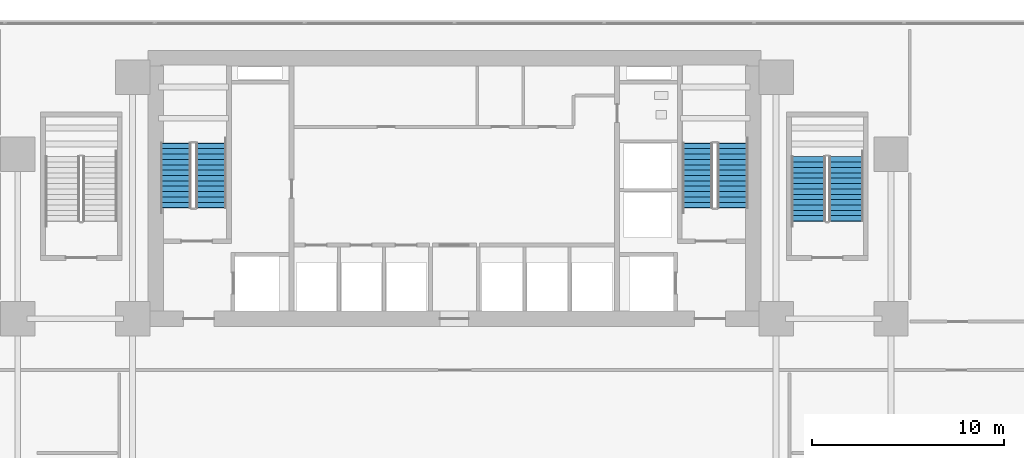
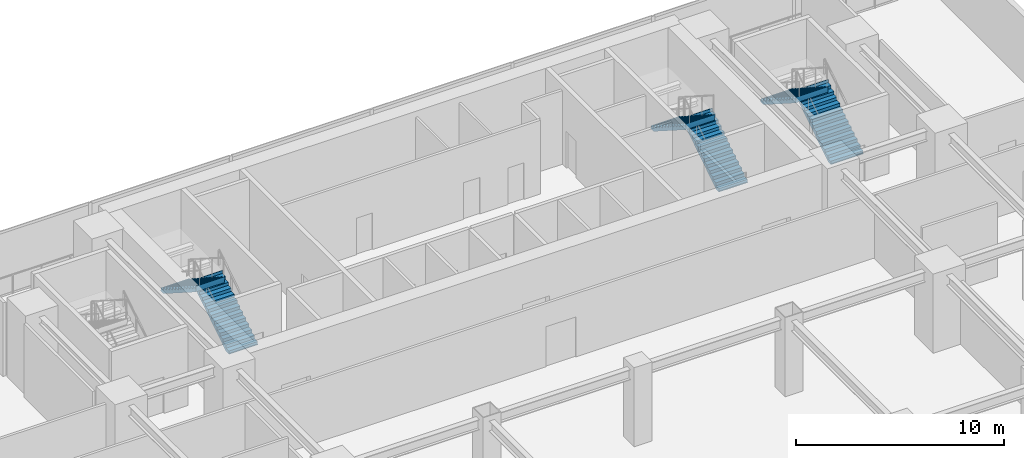
# One storey, part 10 of 15: 6 stair flights, 3 elements without a shape of their own.
"""IFC4 building model written with IfcOpenShell, lengths in metres."""

from ifc_helpers import new_model, si_unit, direction, frame, origin, place, context, subcontext, project, spatial, polyline, outline, extrude, source, transform, mapped, material, type_object, element, aggregate, save


model = new_model("IFC4")

# Units and contexts
model_context = context("Model", 3, precision=1e-05, world=origin(), true_north=direction((0.0, 1.0)))
body_context = subcontext(model_context, "Body", "Model", "MODEL_VIEW")
ifc_project = project(units=[si_unit("LENGTHUNIT", "METRE"), si_unit("AREAUNIT", "SQUARE_METRE"), si_unit("VOLUMEUNIT", "CUBIC_METRE"), si_unit("PLANEANGLEUNIT", "RADIAN"), si_unit("MASSUNIT", "GRAM", prefix="KILO")], contexts=[model_context])

# Site, building, storey
site_placement = place(None, origin())
site = spatial("IfcSite", under=ifc_project, at=site_placement, CompositionType="ELEMENT")
building_placement = place(site_placement, origin())
building = spatial("IfcBuilding", under=site, at=building_placement, Name="Sumidabori Civic Tower", CompositionType="ELEMENT")
storey_placement = place(building_placement, frame((0.0, 0.0, 14.300048828125)))
storey = spatial("IfcBuildingStorey", under=building, at=storey_placement, Name="L03", CompositionType="ELEMENT", Elevation=14.300048828125)

# Stair, stair flights
ifc_material = material(Name="Concrete C40/50", Category="concrete")
stair_type_1 = type_object("IfcStairType", Name="ST-CORE-1600", PredefinedType="HALF_TURN_STAIR", material=ifc_material)
stair_1_placement = place(storey_placement, origin())
stair_1 = element("IfcStair", 1, at=stair_1_placement, inside=storey, type_object=stair_type_1, Name="L03 ST-1", PredefinedType="HALF_TURN_STAIR")
stair_flight_type_1 = type_object("IfcStairFlightType", Name="SF-CORE-1600", PredefinedType="STRAIGHT", material=ifc_material)
shared_shape_1 = source(origin(), body_context, "Body", "SweptSolid", [
    extrude(outline(polyline([(-0.02490234375, 0.0), (-0.02490234375, 0.0400390625), (0.0, 0.0400390625), (0.0, 0.178955078125), (0.280029296875, 0.178955078125), (0.280029296875, 0.357666015625), (0.56005859375, 0.357666015625), (0.56005859375, 0.53662109375), (0.840087890625, 0.53662109375), (0.840087890625, 0.71533203125), (1.1201171875, 0.71533203125), (1.1201171875, 0.894287109375), (1.39990234375, 0.894287109375), (1.39990234375, 1.072998046875), (1.679931640625, 1.072998046875), (1.679931640625, 1.251953125), (1.9599609375, 1.251953125), (1.9599609375, 1.4306640625), (2.239990234375, 1.4306640625), (2.239990234375, 1.609619140625), (2.52001953125, 1.609619140625), (2.52001953125, 1.78857421875), (2.800048828125, 1.78857421875), (2.800048828125, 1.96728515625), (3.080078125, 1.96728515625), (3.080078125, 2.146240234375), (3.360107421875, 2.146240234375), (3.360107421875, 2.324951171875), (3.385009765625, 2.324951171875), (3.385009765625, 2.175048828125), (3.360107421875, 1.96826171875), (0.278564453125, 0.0), (-0.02490234375, 0.0)])), frame((0.0, 0.800048828125, 0.0), z_axis=(0.0, -1.0, 0.0), x_axis=(1.0, 0.0, 0.0)), (0.0, 0.0, 1.0), 1.60009765625),
])
stair_flight_1_placement = place(storey_placement, frame((-12.699951171875, 16.0, 0.0), z_axis=(0.0, 0.0, 1.0), x_axis=(0.0, 1.0, 0.0)))
stair_flight_1 = element("IfcStairFlight", 2, at=stair_flight_1_placement, type_object=stair_flight_type_1, Name="ST-1 flight 1", NumberOfRisers=13, NumberOfTreads=12, PredefinedType="STRAIGHT", RiserHeight=0.178846154, TreadLength=0.28, context=body_context, shape_type="MappedRepresentation", body=[
    mapped(shared_shape_1, transform((0.0, 0.0, 0.0), x_axis=(1.0, 0.0, 0.0), y_axis=(0.0, 1.0, 0.0), z_axis=(0.0, 0.0, 1.0), scale=1.0)),
])
stair_flight_2_placement = place(storey_placement, frame((-14.5400390625, 19.360107421875, 2.324951171875), z_axis=(0.0, 0.0, 1.0), x_axis=(0.0, -1.0, 0.0)))
stair_flight_2 = element("IfcStairFlight", 3, at=stair_flight_2_placement, type_object=stair_flight_type_1, Name="ST-1 flight 2", NumberOfRisers=13, NumberOfTreads=12, PredefinedType="STRAIGHT", RiserHeight=0.178846154, TreadLength=0.28, context=body_context, shape_type="MappedRepresentation", body=[
    mapped(shared_shape_1, transform((0.0, 0.0, 0.0), x_axis=(1.0, 0.0, 0.0), y_axis=(0.0, 1.0, 0.0), z_axis=(0.0, 0.0, 1.0), scale=1.0)),
])
aggregate(stair_1, [stair_flight_1, stair_flight_2])

stair_2_placement = place(storey_placement, origin())
stair_2 = element("IfcStair", 4, at=stair_2_placement, inside=storey, type_object=stair_type_1, Name="L03 ST-2", PredefinedType="HALF_TURN_STAIR")
stair_flight_3_placement = place(storey_placement, frame((14.5400390625, 16.0, 0.0), z_axis=(0.0, 0.0, 1.0), x_axis=(0.0, 1.0, 0.0)))
stair_flight_3 = element("IfcStairFlight", 5, at=stair_flight_3_placement, type_object=stair_flight_type_1, Name="ST-2 flight 1", NumberOfRisers=13, NumberOfTreads=12, PredefinedType="STRAIGHT", RiserHeight=0.178846154, TreadLength=0.28, context=body_context, shape_type="MappedRepresentation", body=[
    mapped(shared_shape_1, transform((0.0, 0.0, 0.0), x_axis=(1.0, 0.0, 0.0), y_axis=(0.0, 1.0, 0.0), z_axis=(0.0, 0.0, 1.0), scale=1.0)),
])
stair_flight_4_placement = place(storey_placement, frame((12.699951171875, 19.360107421875, 2.324951171875), z_axis=(0.0, 0.0, 1.0), x_axis=(0.0, -1.0, 0.0)))
stair_flight_4 = element("IfcStairFlight", 6, at=stair_flight_4_placement, type_object=stair_flight_type_1, Name="ST-2 flight 2", NumberOfRisers=13, NumberOfTreads=12, PredefinedType="STRAIGHT", RiserHeight=0.178846154, TreadLength=0.28, context=body_context, shape_type="MappedRepresentation", body=[
    mapped(shared_shape_1, transform((0.0, 0.0, 0.0), x_axis=(1.0, 0.0, 0.0), y_axis=(0.0, 1.0, 0.0), z_axis=(0.0, 0.0, 1.0), scale=1.0)),
])
aggregate(stair_2, [stair_flight_3, stair_flight_4])

stair_type_2 = type_object("IfcStairType", Name="ST-POD-1800", PredefinedType="HALF_TURN_STAIR", material=ifc_material)
stair_3_placement = place(storey_placement, origin())
stair_3 = element("IfcStair", 7, at=stair_3_placement, inside=storey, type_object=stair_type_2, Name="L03 ST-4", PredefinedType="HALF_TURN_STAIR")
stair_flight_type_2 = type_object("IfcStairFlightType", Name="SF-POD-1800", PredefinedType="STRAIGHT", material=ifc_material)
shared_shape_2 = source(origin(), body_context, "Body", "SweptSolid", [
    extrude(outline(polyline([(-0.02490234375, 0.0), (-0.02490234375, 0.0400390625), (0.0, 0.0400390625), (0.0, 0.178955078125), (0.280029296875, 0.178955078125), (0.280029296875, 0.357666015625), (0.56005859375, 0.357666015625), (0.56005859375, 0.53662109375), (0.840087890625, 0.53662109375), (0.840087890625, 0.71533203125), (1.1201171875, 0.71533203125), (1.1201171875, 0.894287109375), (1.39990234375, 0.894287109375), (1.39990234375, 1.072998046875), (1.679931640625, 1.072998046875), (1.679931640625, 1.251953125), (1.9599609375, 1.251953125), (1.9599609375, 1.4306640625), (2.239990234375, 1.4306640625), (2.239990234375, 1.609619140625), (2.52001953125, 1.609619140625), (2.52001953125, 1.78857421875), (2.800048828125, 1.78857421875), (2.800048828125, 1.96728515625), (3.080078125, 1.96728515625), (3.080078125, 2.146240234375), (3.360107421875, 2.146240234375), (3.360107421875, 2.324951171875), (3.385009765625, 2.324951171875), (3.385009765625, 2.175048828125), (3.360107421875, 1.96826171875), (0.278564453125, 0.0), (-0.02490234375, 0.0)])), frame((0.0, 0.89990234375, 0.0), z_axis=(0.0, -1.0, 0.0), x_axis=(1.0, 0.0, 0.0)), (0.0, 0.0, 1.0), 1.800048828125),
])
stair_flight_5_placement = place(storey_placement, frame((20.4599609375, 15.300048828125, 0.0), z_axis=(0.0, 0.0, 1.0), x_axis=(0.0, 1.0, 0.0)))
stair_flight_5 = element("IfcStairFlight", 8, at=stair_flight_5_placement, type_object=stair_flight_type_2, Name="ST-4 flight 1", NumberOfRisers=13, NumberOfTreads=12, PredefinedType="STRAIGHT", RiserHeight=0.178846154, TreadLength=0.28, context=body_context, shape_type="MappedRepresentation", body=[
    mapped(shared_shape_2, transform((0.0, 0.0, 0.0), x_axis=(1.0, 0.0, 0.0), y_axis=(0.0, 1.0, 0.0), z_axis=(0.0, 0.0, 1.0), scale=1.0)),
])
stair_flight_6_placement = place(storey_placement, frame((18.5, 18.659912109375, 2.324951171875), z_axis=(0.0, 0.0, 1.0), x_axis=(0.0, -1.0, 0.0)))
stair_flight_6 = element("IfcStairFlight", 9, at=stair_flight_6_placement, type_object=stair_flight_type_2, Name="ST-4 flight 2", NumberOfRisers=13, NumberOfTreads=12, PredefinedType="STRAIGHT", RiserHeight=0.178846154, TreadLength=0.28, context=body_context, shape_type="MappedRepresentation", body=[
    mapped(shared_shape_2, transform((0.0, 0.0, 0.0), x_axis=(1.0, 0.0, 0.0), y_axis=(0.0, 1.0, 0.0), z_axis=(0.0, 0.0, 1.0), scale=1.0)),
])
aggregate(stair_3, [stair_flight_5, stair_flight_6])

save(model, "model.ifc")
